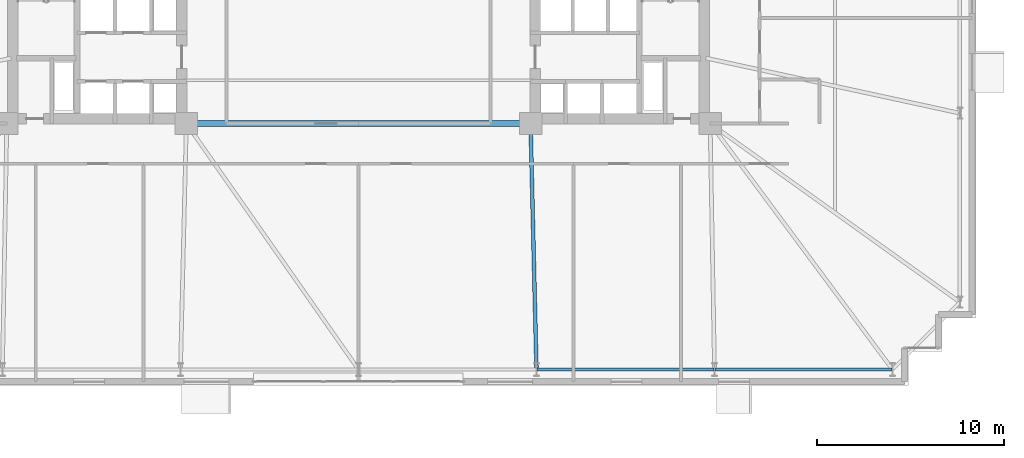
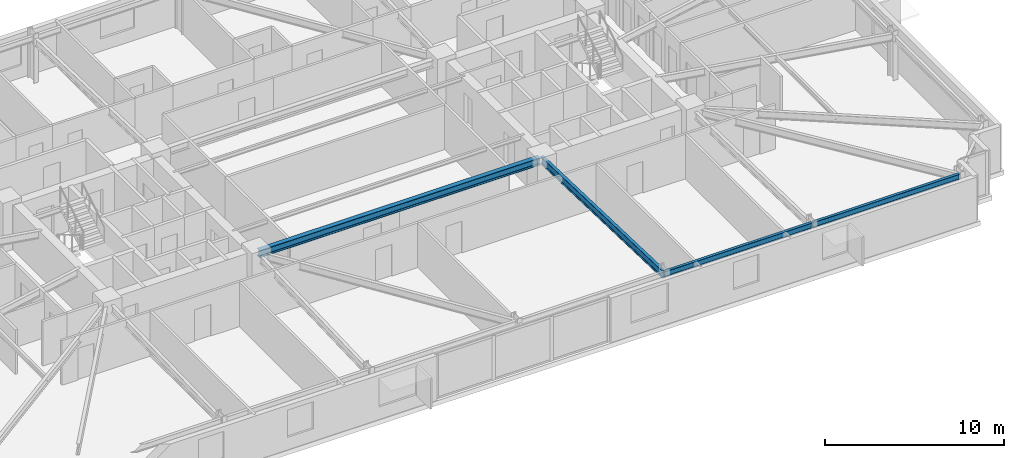
# One storey, part 9 of 26: 4 beams.
"""IFC4 building model written with IfcOpenShell, lengths in metres."""

from ifc_helpers import new_model, si_unit, direction, frame, origin, origin_2d, place, context, subcontext, project, spatial, i_section, extrude, material, material_profile, profile_set, type_object, element, save


model = new_model("IFC4")

# Units and contexts
model_context = context("Model", 3, precision=1e-05, world=origin(), true_north=direction((0.0, 1.0)))
body_context = subcontext(model_context, "Body", "Model", "MODEL_VIEW")
ifc_project = project(units=[si_unit("LENGTHUNIT", "METRE"), si_unit("AREAUNIT", "SQUARE_METRE"), si_unit("VOLUMEUNIT", "CUBIC_METRE"), si_unit("PLANEANGLEUNIT", "RADIAN"), si_unit("MASSUNIT", "GRAM", prefix="KILO")], contexts=[model_context])

# Site, building, storey
site_placement = place(None, origin())
site = spatial("IfcSite", under=ifc_project, at=site_placement, CompositionType="ELEMENT")
building_placement = place(site_placement, origin())
building = spatial("IfcBuilding", under=site, at=building_placement, Name="Qobustan Lattice House", CompositionType="ELEMENT")
storey_placement = place(building_placement, frame((0.0, 0.0, 47.10009765625)))
storey = spatial("IfcBuildingStorey", under=building, at=storey_placement, Name="L12", CompositionType="ELEMENT", Elevation=47.10009765625)

# Beams
ifc_material_1 = material(Name="Steel S355", Category="steel")
ifc_material_profile_1 = material_profile(ifc_material_1, i_section(OverallWidth=0.300048828125, OverallDepth=0.5, WebThickness=0.014404296875, FlangeThickness=0.028076171875, FilletRadius=0.027099609375, at=origin_2d()), Name="HEB500")
ifc_profile_set_1 = profile_set([ifc_material_profile_1], Name="Steel S355")
beam_type_1 = type_object("IfcBeamType", Name="BM-CG-HEB500", PredefinedType="USERDEFINED", material=ifc_profile_set_1)
beam_1_placement = place(storey_placement, frame((-9.050048828125, -5.60009765625, 2.784912109375), z_axis=(1.0, 0.0, 0.0), x_axis=(0.0, 1.0, 0.0)))
element("IfcBeam", 1, at=beam_1_placement, inside=storey, type_object=beam_type_1, Name="L12 core spine girder CG-CS", ObjectType="GIRDER", PredefinedType="USERDEFINED", context=body_context, shape_type="SweptSolid", body=[
    extrude(i_section(OverallWidth=0.300048828125, OverallDepth=0.5, WebThickness=0.014404296875, FlangeThickness=0.028076171875, FilletRadius=0.027099609375, at=origin_2d()), origin(), (0.0, 0.0, 1.0), 18.10009765625),
])
ifc_material_2 = material(Name="Steel S355", Category="steel")
ifc_material_profile_2 = material_profile(ifc_material_2, i_section(OverallWidth=0.199951171875, OverallDepth=0.5, WebThickness=0.01025390625, FlangeThickness=0.01611328125, FilletRadius=0.02099609375, at=origin_2d()), Name="IPE500")
ifc_profile_set_2 = profile_set([ifc_material_profile_2], Name="Steel S355")
beam_type_2 = type_object("IfcBeamType", Name="BM-FLG-IPE500", PredefinedType="USERDEFINED", material=ifc_profile_set_2)
beam_2_placement = place(storey_placement, frame((9.51611328125, -18.72509765625, 2.784912109375), z_axis=(-0.024071445657, 0.999710240772, 0.0), x_axis=(-0.999710240772, -0.024071445657, 0.0)))
element("IfcBeam", 2, at=beam_2_placement, inside=storey, type_object=beam_type_2, Name="L12 primary floor girder RAD-S5", ObjectType="GIRDER", PredefinedType="USERDEFINED", context=body_context, shape_type="SweptSolid", body=[
    extrude(i_section(OverallWidth=0.199951171875, OverallDepth=0.5, WebThickness=0.01025390625, FlangeThickness=0.01611328125, FilletRadius=0.02099609375, at=origin_2d()), origin(), (0.0, 0.0, 1.0), 13.10400390625),
])
ifc_material_3 = material(Name="Steel S355", Category="steel")
ifc_material_profile_3 = material_profile(ifc_material_3, i_section(OverallWidth=0.179931640625, OverallDepth=0.39990234375, WebThickness=0.008544921875, FlangeThickness=0.013427734375, FilletRadius=0.02099609375, at=origin_2d()), Name="IPE400")
ifc_profile_set_3 = profile_set([ifc_material_profile_3], Name="Steel S355")
beam_type_3 = type_object("IfcBeamType", Name="BM-SPD-IPE400", PredefinedType="SPANDREL", material=ifc_profile_set_3)
for number, where, z_axis, x_axis, name in (
    (3, (9.541748046875, -18.75, 2.8349609375), (1.0, 0.0, 0.0), (0.0, 1.0, 0.0), "L12 perimeter spandrel S5-S6"),
    (4, (19.058349609375, -18.75, 2.8349609375), (1.0, 0.0, 0.0), (0.0, 1.0, 0.0), "L12 perimeter spandrel S6-S7"),
):
    element("IfcBeam", number, at=place(storey_placement, frame(where, z_axis=z_axis, x_axis=x_axis)), inside=storey, type_object=beam_type_3, Name=name, PredefinedType="SPANDREL", context=body_context, shape_type="SweptSolid", body=[
        extrude(i_section(OverallWidth=0.179931640625, OverallDepth=0.39990234375, WebThickness=0.008544921875, FlangeThickness=0.013427734375, FilletRadius=0.02099609375, at=origin_2d()), origin(), (0.0, 0.0, 1.0), 9.466552734375),
    ])

save(model, "model.ifc")
